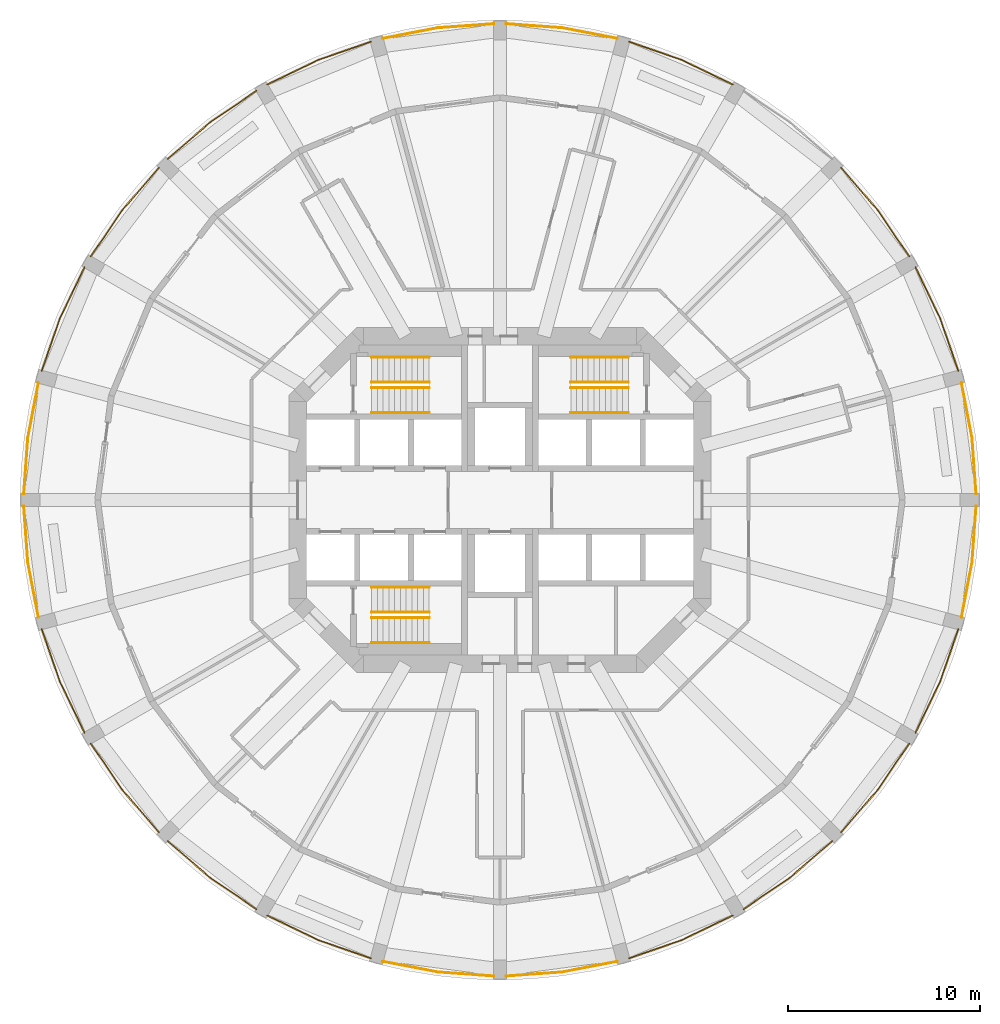
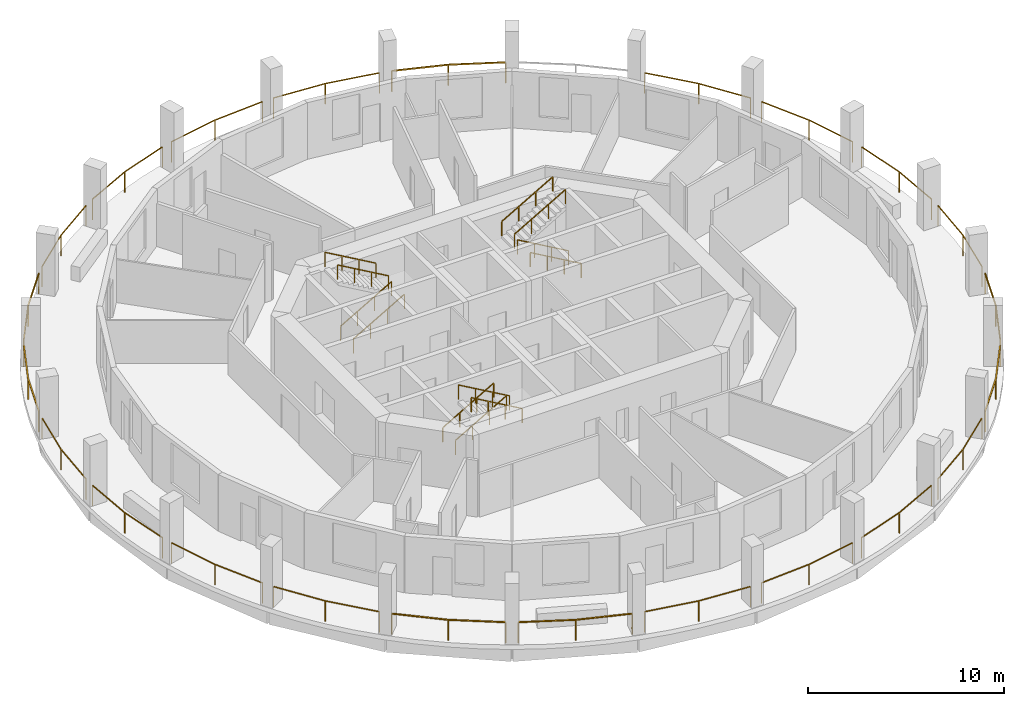
# One storey, part 7 of 8: 35 railings.
"""IFC4 building model written with IfcOpenShell, lengths in metres."""

from ifc_helpers import new_model, si_unit, direction, frame, origin, origin_2d, place, context, subcontext, project, spatial, rectangle, extrude, material, type_object, element, save


model = new_model("IFC4")

# Units and contexts
model_context = context("Model", 3, precision=1e-05, world=origin(), true_north=direction((0.0, 1.0)))
body_context = subcontext(model_context, "Body", "Model", "MODEL_VIEW")
ifc_project = project(units=[si_unit("LENGTHUNIT", "METRE"), si_unit("AREAUNIT", "SQUARE_METRE"), si_unit("VOLUMEUNIT", "CUBIC_METRE"), si_unit("PLANEANGLEUNIT", "RADIAN"), si_unit("MASSUNIT", "GRAM", prefix="KILO")], contexts=[model_context])

# Site, building, storey
site_placement = place(None, origin())
site = spatial("IfcSite", under=ifc_project, at=site_placement, CompositionType="ELEMENT")
building_placement = place(site_placement, origin())
building = spatial("IfcBuilding", under=site, at=building_placement, Name="Torre Triforio", CompositionType="ELEMENT")
storey_placement = place(building_placement, frame((0.0, 0.0, 135.199951171875)))
storey = spatial("IfcBuildingStorey", under=building, at=storey_placement, Name="L30", CompositionType="ELEMENT", Elevation=135.199951171875)

# Railings
ifc_material = material(Name="Stainless steel AISI 316", Category="steel")
railing_type_1 = type_object("IfcRailingType", Name="HANDRAIL 920", PredefinedType="HANDRAIL", material=ifc_material)
for number, where, name in (
    (1, (-6.699951171875, 4.550048828125, 0.1728515625), "Handrail ST1"),
    (2, (-6.699951171875, 5.85009765625, 0.1728515625), "Handrail ST1"),
):
    element("IfcRailing", number, at=place(storey_placement, frame(where)), inside=storey, type_object=railing_type_1, Name=name, PredefinedType="HANDRAIL", context=body_context, shape_type="SweptSolid", body=[
        extrude(rectangle(XDim=0.048095703125, YDim=0.048095703125, at=origin_2d()), frame((0.0, 0.0, 0.89599609375), z_axis=(0.866619684472, 0.0, 0.498969260062), x_axis=(0.0, 1.0, 0.0)), (0.0, 0.0, 1.0), 3.461669921875),
        extrude(rectangle(XDim=0.0419921875, YDim=0.0419921875, at=origin_2d()), origin(), (0.0, 0.0, 1.0), 0.871826171875),
        extrude(rectangle(XDim=0.0419921875, YDim=0.0419921875, at=origin_2d()), frame((1.0, 0.0, 0.57568359375)), (0.0, 0.0, 1.0), 0.871826171875),
        extrude(rectangle(XDim=0.0419921875, YDim=0.0419921875, at=origin_2d()), frame((2.0, 0.0, 1.151611328125)), (0.0, 0.0, 1.0), 0.871826171875),
        extrude(rectangle(XDim=0.0419921875, YDim=0.0419921875, at=origin_2d()), frame((3.0, 0.0, 1.727294921875)), (0.0, 0.0, 1.0), 0.871826171875),
    ])
for number, where, name in (
    (3, (-3.699951171875, 7.449951171875, 2.07275390625), "Handrail ST1"),
    (4, (-3.699951171875, 6.14990234375, 2.07275390625), "Handrail ST1"),
    (5, (6.699951171875, 4.550048828125, 0.1728515625), "Handrail ST2"),
    (6, (6.699951171875, 5.85009765625, 0.1728515625), "Handrail ST2"),
):
    element("IfcRailing", number, at=place(storey_placement, frame(where)), inside=storey, type_object=railing_type_1, Name=name, PredefinedType="HANDRAIL", context=body_context, shape_type="SweptSolid", body=[
        extrude(rectangle(XDim=0.048095703125, YDim=0.048095703125, at=origin_2d()), frame((0.0, 0.0, 0.89599609375), z_axis=(-0.866619684472, 0.0, 0.498969260062), x_axis=(0.0, -1.0, 0.0)), (0.0, 0.0, 1.0), 3.461669921875),
        extrude(rectangle(XDim=0.0419921875, YDim=0.0419921875, at=origin_2d()), origin(), (0.0, 0.0, 1.0), 0.871826171875),
        extrude(rectangle(XDim=0.0419921875, YDim=0.0419921875, at=origin_2d()), frame((-1.0, 0.0, 0.57568359375)), (0.0, 0.0, 1.0), 0.871826171875),
        extrude(rectangle(XDim=0.0419921875, YDim=0.0419921875, at=origin_2d()), frame((-2.0, 0.0, 1.151611328125)), (0.0, 0.0, 1.0), 0.871826171875),
        extrude(rectangle(XDim=0.0419921875, YDim=0.0419921875, at=origin_2d()), frame((-3.0, 0.0, 1.727294921875)), (0.0, 0.0, 1.0), 0.871826171875),
    ])
for number, where, name in (
    (7, (3.699951171875, 7.449951171875, 2.07275390625), "Handrail ST2"),
    (8, (3.699951171875, 6.14990234375, 2.07275390625), "Handrail ST2"),
    (9, (-6.699951171875, -4.550048828125, 0.1728515625), "Handrail ST3"),
    (10, (-6.699951171875, -5.85009765625, 0.1728515625), "Handrail ST3"),
):
    element("IfcRailing", number, at=place(storey_placement, frame(where)), inside=storey, type_object=railing_type_1, Name=name, PredefinedType="HANDRAIL", context=body_context, shape_type="SweptSolid", body=[
        extrude(rectangle(XDim=0.048095703125, YDim=0.048095703125, at=origin_2d()), frame((0.0, 0.0, 0.89599609375), z_axis=(0.866619684472, 0.0, 0.498969260062), x_axis=(0.0, 1.0, 0.0)), (0.0, 0.0, 1.0), 3.461669921875),
        extrude(rectangle(XDim=0.0419921875, YDim=0.0419921875, at=origin_2d()), origin(), (0.0, 0.0, 1.0), 0.871826171875),
        extrude(rectangle(XDim=0.0419921875, YDim=0.0419921875, at=origin_2d()), frame((1.0, 0.0, 0.57568359375)), (0.0, 0.0, 1.0), 0.871826171875),
        extrude(rectangle(XDim=0.0419921875, YDim=0.0419921875, at=origin_2d()), frame((2.0, 0.0, 1.151611328125)), (0.0, 0.0, 1.0), 0.871826171875),
        extrude(rectangle(XDim=0.0419921875, YDim=0.0419921875, at=origin_2d()), frame((3.0, 0.0, 1.727294921875)), (0.0, 0.0, 1.0), 0.871826171875),
    ])
for number, where, name in (
    (11, (-3.699951171875, -7.449951171875, 2.07275390625), "Handrail ST3"),
    (12, (-3.699951171875, -6.14990234375, 2.07275390625), "Handrail ST3"),
):
    element("IfcRailing", number, at=place(storey_placement, frame(where)), inside=storey, type_object=railing_type_1, Name=name, PredefinedType="HANDRAIL", context=body_context, shape_type="SweptSolid", body=[
        extrude(rectangle(XDim=0.048095703125, YDim=0.048095703125, at=origin_2d()), frame((0.0, 0.0, 0.89599609375), z_axis=(-0.866619684472, 0.0, 0.498969260062), x_axis=(0.0, -1.0, 0.0)), (0.0, 0.0, 1.0), 3.461669921875),
        extrude(rectangle(XDim=0.0419921875, YDim=0.0419921875, at=origin_2d()), origin(), (0.0, 0.0, 1.0), 0.871826171875),
        extrude(rectangle(XDim=0.0419921875, YDim=0.0419921875, at=origin_2d()), frame((-1.0, 0.0, 0.57568359375)), (0.0, 0.0, 1.0), 0.871826171875),
        extrude(rectangle(XDim=0.0419921875, YDim=0.0419921875, at=origin_2d()), frame((-2.0, 0.0, 1.151611328125)), (0.0, 0.0, 1.0), 0.871826171875),
        extrude(rectangle(XDim=0.0419921875, YDim=0.0419921875, at=origin_2d()), frame((-3.0, 0.0, 1.727294921875)), (0.0, 0.0, 1.0), 0.871826171875),
    ])
railing_type_2 = type_object("IfcRailingType", Name="Loggia guard 1300", PredefinedType="GUARDRAIL", material=ifc_material)
railing_1_placement = place(storey_placement, frame((24.85009765625, 0.320068359375, 0.0)))
element("IfcRailing", 13, at=railing_1_placement, inside=storey, type_object=railing_type_2, Name="Loggia guard L30 bay 01", PredefinedType="GUARDRAIL", context=body_context, shape_type="SweptSolid", body=[
    extrude(rectangle(XDim=0.050048828125, YDim=0.050048828125, at=origin_2d()), frame((0.0, 0.0, 1.27490234375), z_axis=(-0.072543227511, 0.997365269168, 0.0), x_axis=(-0.997365269168, -0.072543227511, 0.0)), (0.0, 0.0, 1.0), 2.931396484375),
    extrude(rectangle(XDim=0.050048828125, YDim=0.050048828125, at=origin_2d()), frame((-0.212646484375, 2.923583984375, 1.27490234375), z_axis=(-0.188068851895, 0.982155846568, 0.0), x_axis=(-0.982155846568, -0.188068851895, 0.0)), (0.0, 0.0, 1.0), 2.93115234375),
    extrude(rectangle(XDim=0.0400390625, YDim=0.0400390625, at=origin_2d()), origin(), (0.0, 0.0, 1.0), 1.25),
    extrude(rectangle(XDim=0.0400390625, YDim=0.0400390625, at=origin_2d()), frame((-0.212646484375, 2.923583984375, 0.0)), (0.0, 0.0, 1.0), 1.25),
    extrude(rectangle(XDim=0.0400390625, YDim=0.0400390625, at=origin_2d()), frame((-0.763916015625, 5.802490234375, 0.0)), (0.0, 0.0, 1.0), 1.25),
])
railing_2_placement = place(storey_placement, frame((23.92041015625, 6.74072265625, 0.0)))
element("IfcRailing", 14, at=railing_2_placement, inside=storey, type_object=railing_type_2, Name="Loggia guard L30 bay 02", PredefinedType="GUARDRAIL", context=body_context, shape_type="SweptSolid", body=[
    extrude(rectangle(XDim=0.050048828125, YDim=0.050048828125, at=origin_2d()), frame((0.0, 0.0, 1.27490234375), z_axis=(-0.328145883403, 0.944627058264, 0.0), x_axis=(-0.944627058264, -0.328145883403, 0.0)), (0.0, 0.0, 1.0), 2.931396484375),
    extrude(rectangle(XDim=0.050048828125, YDim=0.050048828125, at=origin_2d()), frame((-0.9619140625, 2.76904296875, 1.27490234375), z_axis=(-0.435917913275, 0.899986429279, 0.0), x_axis=(-0.899986429279, -0.435917913275, 0.0)), (0.0, 0.0, 1.0), 2.931396484375),
    extrude(rectangle(XDim=0.0400390625, YDim=0.0400390625, at=origin_2d()), origin(), (0.0, 0.0, 1.0), 1.25),
    extrude(rectangle(XDim=0.0400390625, YDim=0.0400390625, at=origin_2d()), frame((-0.9619140625, 2.76904296875, 0.0)), (0.0, 0.0, 1.0), 1.25),
    extrude(rectangle(XDim=0.0400390625, YDim=0.0400390625, at=origin_2d()), frame((-2.23974609375, 5.4072265625, 0.0)), (0.0, 0.0, 1.0), 1.25),
])
railing_3_placement = place(storey_placement, frame((21.360595703125, 12.7021484375, 0.0)))
element("IfcRailing", 15, at=railing_3_placement, inside=storey, type_object=railing_type_2, Name="Loggia guard L30 bay 03", PredefinedType="GUARDRAIL", context=body_context, shape_type="SweptSolid", body=[
    extrude(rectangle(XDim=0.050048828125, YDim=0.050048828125, at=origin_2d()), frame((0.0, 0.0, 1.27490234375), z_axis=(-0.561466791934, 0.827499269821, 0.0), x_axis=(-0.827499269821, -0.561466791934, 0.0)), (0.0, 0.0, 1.0), 2.93115234375),
    extrude(rectangle(XDim=0.050048828125, YDim=0.050048828125, at=origin_2d()), frame((-1.645751953125, 2.425537109375, 1.27490234375), z_axis=(-0.653981928353, 0.756510170049, 0.0), x_axis=(-0.756510170049, -0.653981928353, 0.0)), (0.0, 0.0, 1.0), 2.93115234375),
    extrude(rectangle(XDim=0.0400390625, YDim=0.0400390625, at=origin_2d()), origin(), (0.0, 0.0, 1.0), 1.25),
    extrude(rectangle(XDim=0.0400390625, YDim=0.0400390625, at=origin_2d()), frame((-1.645751953125, 2.425537109375, 0.0)), (0.0, 0.0, 1.0), 1.25),
    extrude(rectangle(XDim=0.0400390625, YDim=0.0400390625, at=origin_2d()), frame((-3.562744140625, 4.64306640625, 0.0)), (0.0, 0.0, 1.0), 1.25),
])
railing_4_placement = place(storey_placement, frame((12.14794921875, 21.6806640625, 0.0)))
element("IfcRailing", 16, at=railing_4_placement, inside=storey, type_object=railing_type_2, Name="Loggia guard L30 bay 05", PredefinedType="GUARDRAIL", context=body_context, shape_type="SweptSolid", body=[
    extrude(rectangle(XDim=0.050048828125, YDim=0.050048828125, at=origin_2d()), frame((0.0, 0.0, 1.27490234375), z_axis=(-0.899986429279, 0.435917913275, 0.0), x_axis=(-0.435917913275, -0.899986429279, 0.0)), (0.0, 0.0, 1.0), 2.931396484375),
    extrude(rectangle(XDim=0.050048828125, YDim=0.050048828125, at=origin_2d()), frame((-2.63818359375, 1.27783203125, 1.27490234375), z_axis=(-0.944627058264, 0.328145883403, 0.0), x_axis=(-0.328145883403, -0.944627058264, 0.0)), (0.0, 0.0, 1.0), 2.931396484375),
    extrude(rectangle(XDim=0.0400390625, YDim=0.0400390625, at=origin_2d()), origin(), (0.0, 0.0, 1.0), 1.25),
    extrude(rectangle(XDim=0.0400390625, YDim=0.0400390625, at=origin_2d()), frame((-2.63818359375, 1.27783203125, 0.0)), (0.0, 0.0, 1.0), 1.25),
    extrude(rectangle(XDim=0.0400390625, YDim=0.0400390625, at=origin_2d()), frame((-5.4072265625, 2.23974609375, 0.0)), (0.0, 0.0, 1.0), 1.25),
])
railing_5_placement = place(storey_placement, frame((6.12255859375, 24.086181640625, 0.0)))
element("IfcRailing", 17, at=railing_5_placement, inside=storey, type_object=railing_type_2, Name="Loggia guard L30 bay 06", PredefinedType="GUARDRAIL", context=body_context, shape_type="SweptSolid", body=[
    extrude(rectangle(XDim=0.050048828125, YDim=0.050048828125, at=origin_2d()), frame((0.0, 0.0, 1.27490234375), z_axis=(-0.982155846568, 0.188068851895, 0.0), x_axis=(-0.188068851895, -0.982155846568, 0.0)), (0.0, 0.0, 1.0), 2.93115234375),
    extrude(rectangle(XDim=0.050048828125, YDim=0.050048828125, at=origin_2d()), frame((-2.87890625, 0.55126953125, 1.27490234375), z_axis=(-0.997365269168, 0.072543227511, 0.0), x_axis=(-0.072543227511, -0.997365269168, 0.0)), (0.0, 0.0, 1.0), 2.931396484375),
    extrude(rectangle(XDim=0.0400390625, YDim=0.0400390625, at=origin_2d()), origin(), (0.0, 0.0, 1.0), 1.25),
    extrude(rectangle(XDim=0.0400390625, YDim=0.0400390625, at=origin_2d()), frame((-2.87890625, 0.55126953125, 0.0)), (0.0, 0.0, 1.0), 1.25),
    extrude(rectangle(XDim=0.0400390625, YDim=0.0400390625, at=origin_2d()), frame((-5.802490234375, 0.763916015625, 0.0)), (0.0, 0.0, 1.0), 1.25),
])
railing_6_placement = place(storey_placement, frame((-0.320068359375, 24.85009765625, 0.0)))
element("IfcRailing", 18, at=railing_6_placement, inside=storey, type_object=railing_type_2, Name="Loggia guard L30 bay 07", PredefinedType="GUARDRAIL", context=body_context, shape_type="SweptSolid", body=[
    extrude(rectangle(XDim=0.050048828125, YDim=0.050048828125, at=origin_2d()), frame((0.0, 0.0, 1.27490234375), z_axis=(-0.997365269168, -0.072543227511, 0.0), x_axis=(0.072543227511, -0.997365269168, 0.0)), (0.0, 0.0, 1.0), 2.931396484375),
    extrude(rectangle(XDim=0.050048828125, YDim=0.050048828125, at=origin_2d()), frame((-2.923583984375, -0.212646484375, 1.27490234375), z_axis=(-0.982155846568, -0.188068851895, 0.0), x_axis=(0.188068851895, -0.982155846568, 0.0)), (0.0, 0.0, 1.0), 2.93115234375),
    extrude(rectangle(XDim=0.0400390625, YDim=0.0400390625, at=origin_2d()), origin(), (0.0, 0.0, 1.0), 1.25),
    extrude(rectangle(XDim=0.0400390625, YDim=0.0400390625, at=origin_2d()), frame((-2.923583984375, -0.212646484375, 0.0)), (0.0, 0.0, 1.0), 1.25),
    extrude(rectangle(XDim=0.0400390625, YDim=0.0400390625, at=origin_2d()), frame((-5.802490234375, -0.763916015625, 0.0)), (0.0, 0.0, 1.0), 1.25),
])
railing_7_placement = place(storey_placement, frame((-6.74072265625, 23.92041015625, 0.0)))
element("IfcRailing", 19, at=railing_7_placement, inside=storey, type_object=railing_type_2, Name="Loggia guard L30 bay 08", PredefinedType="GUARDRAIL", context=body_context, shape_type="SweptSolid", body=[
    extrude(rectangle(XDim=0.050048828125, YDim=0.050048828125, at=origin_2d()), frame((0.0, 0.0, 1.27490234375), z_axis=(-0.944627058264, -0.328145883403, 0.0), x_axis=(0.328145883403, -0.944627058264, 0.0)), (0.0, 0.0, 1.0), 2.931396484375),
    extrude(rectangle(XDim=0.050048828125, YDim=0.050048828125, at=origin_2d()), frame((-2.76904296875, -0.9619140625, 1.27490234375), z_axis=(-0.899986429279, -0.435917913275, 0.0), x_axis=(0.435917913275, -0.899986429279, 0.0)), (0.0, 0.0, 1.0), 2.931396484375),
    extrude(rectangle(XDim=0.0400390625, YDim=0.0400390625, at=origin_2d()), origin(), (0.0, 0.0, 1.0), 1.25),
    extrude(rectangle(XDim=0.0400390625, YDim=0.0400390625, at=origin_2d()), frame((-2.76904296875, -0.9619140625, 0.0)), (0.0, 0.0, 1.0), 1.25),
    extrude(rectangle(XDim=0.0400390625, YDim=0.0400390625, at=origin_2d()), frame((-5.4072265625, -2.23974609375, 0.0)), (0.0, 0.0, 1.0), 1.25),
])
railing_8_placement = place(storey_placement, frame((-12.7021484375, 21.360595703125, 0.0)))
element("IfcRailing", 20, at=railing_8_placement, inside=storey, type_object=railing_type_2, Name="Loggia guard L30 bay 09", PredefinedType="GUARDRAIL", context=body_context, shape_type="SweptSolid", body=[
    extrude(rectangle(XDim=0.050048828125, YDim=0.050048828125, at=origin_2d()), frame((0.0, 0.0, 1.27490234375), z_axis=(-0.827499269821, -0.561466791934, 0.0), x_axis=(0.561466791934, -0.827499269821, 0.0)), (0.0, 0.0, 1.0), 2.93115234375),
    extrude(rectangle(XDim=0.050048828125, YDim=0.050048828125, at=origin_2d()), frame((-2.425537109375, -1.645751953125, 1.27490234375), z_axis=(-0.756510170049, -0.653981928353, 0.0), x_axis=(0.653981928353, -0.756510170049, 0.0)), (0.0, 0.0, 1.0), 2.93115234375),
    extrude(rectangle(XDim=0.0400390625, YDim=0.0400390625, at=origin_2d()), origin(), (0.0, 0.0, 1.0), 1.25),
    extrude(rectangle(XDim=0.0400390625, YDim=0.0400390625, at=origin_2d()), frame((-2.425537109375, -1.645751953125, 0.0)), (0.0, 0.0, 1.0), 1.25),
    extrude(rectangle(XDim=0.0400390625, YDim=0.0400390625, at=origin_2d()), frame((-4.64306640625, -3.562744140625, 0.0)), (0.0, 0.0, 1.0), 1.25),
])
railing_9_placement = place(storey_placement, frame((-17.7978515625, 17.34521484375, 0.0)))
element("IfcRailing", 21, at=railing_9_placement, inside=storey, type_object=railing_type_2, Name="Loggia guard L30 bay 10", PredefinedType="GUARDRAIL", context=body_context, shape_type="SweptSolid", body=[
    extrude(rectangle(XDim=0.050048828125, YDim=0.050048828125, at=origin_2d()), frame((0.0, 0.0, 1.27490234375), z_axis=(-0.653981928353, -0.756510170049, 0.0), x_axis=(0.756510170049, -0.653981928353, 0.0)), (0.0, 0.0, 1.0), 2.93115234375),
    extrude(rectangle(XDim=0.050048828125, YDim=0.050048828125, at=origin_2d()), frame((-1.9169921875, -2.217529296875, 1.27490234375), z_axis=(-0.561466791934, -0.827499269821, 0.0), x_axis=(0.827499269821, -0.561466791934, 0.0)), (0.0, 0.0, 1.0), 2.93115234375),
    extrude(rectangle(XDim=0.0400390625, YDim=0.0400390625, at=origin_2d()), origin(), (0.0, 0.0, 1.0), 1.25),
    extrude(rectangle(XDim=0.0400390625, YDim=0.0400390625, at=origin_2d()), frame((-1.9169921875, -2.217529296875, 0.0)), (0.0, 0.0, 1.0), 1.25),
    extrude(rectangle(XDim=0.0400390625, YDim=0.0400390625, at=origin_2d()), frame((-3.562744140625, -4.64306640625, 0.0)), (0.0, 0.0, 1.0), 1.25),
])
railing_10_placement = place(storey_placement, frame((-21.6806640625, 12.14794921875, 0.0)))
element("IfcRailing", 22, at=railing_10_placement, inside=storey, type_object=railing_type_2, Name="Loggia guard L30 bay 11", PredefinedType="GUARDRAIL", context=body_context, shape_type="SweptSolid", body=[
    extrude(rectangle(XDim=0.050048828125, YDim=0.050048828125, at=origin_2d()), frame((0.0, 0.0, 1.27490234375), z_axis=(-0.435917913275, -0.899986429279, 0.0), x_axis=(0.899986429279, -0.435917913275, 0.0)), (0.0, 0.0, 1.0), 2.931396484375),
    extrude(rectangle(XDim=0.050048828125, YDim=0.050048828125, at=origin_2d()), frame((-1.27783203125, -2.63818359375, 1.27490234375), z_axis=(-0.328145883403, -0.944627058264, 0.0), x_axis=(0.944627058264, -0.328145883403, 0.0)), (0.0, 0.0, 1.0), 2.931396484375),
    extrude(rectangle(XDim=0.0400390625, YDim=0.0400390625, at=origin_2d()), origin(), (0.0, 0.0, 1.0), 1.25),
    extrude(rectangle(XDim=0.0400390625, YDim=0.0400390625, at=origin_2d()), frame((-1.27783203125, -2.63818359375, 0.0)), (0.0, 0.0, 1.0), 1.25),
    extrude(rectangle(XDim=0.0400390625, YDim=0.0400390625, at=origin_2d()), frame((-2.23974609375, -5.4072265625, 0.0)), (0.0, 0.0, 1.0), 1.25),
])
railing_11_placement = place(storey_placement, frame((-24.086181640625, 6.12255859375, 0.0)))
element("IfcRailing", 23, at=railing_11_placement, inside=storey, type_object=railing_type_2, Name="Loggia guard L30 bay 12", PredefinedType="GUARDRAIL", context=body_context, shape_type="SweptSolid", body=[
    extrude(rectangle(XDim=0.050048828125, YDim=0.050048828125, at=origin_2d()), frame((0.0, 0.0, 1.27490234375), z_axis=(-0.188068851895, -0.982155846568, 0.0), x_axis=(0.982155846568, -0.188068851895, 0.0)), (0.0, 0.0, 1.0), 2.93115234375),
    extrude(rectangle(XDim=0.050048828125, YDim=0.050048828125, at=origin_2d()), frame((-0.55126953125, -2.87890625, 1.27490234375), z_axis=(-0.072543227511, -0.997365269168, 0.0), x_axis=(0.997365269168, -0.072543227511, 0.0)), (0.0, 0.0, 1.0), 2.931396484375),
    extrude(rectangle(XDim=0.0400390625, YDim=0.0400390625, at=origin_2d()), origin(), (0.0, 0.0, 1.0), 1.25),
    extrude(rectangle(XDim=0.0400390625, YDim=0.0400390625, at=origin_2d()), frame((-0.55126953125, -2.87890625, 0.0)), (0.0, 0.0, 1.0), 1.25),
    extrude(rectangle(XDim=0.0400390625, YDim=0.0400390625, at=origin_2d()), frame((-0.763916015625, -5.802490234375, 0.0)), (0.0, 0.0, 1.0), 1.25),
])
railing_12_placement = place(storey_placement, frame((-24.85009765625, -0.320068359375, 0.0)))
element("IfcRailing", 24, at=railing_12_placement, inside=storey, type_object=railing_type_2, Name="Loggia guard L30 bay 13", PredefinedType="GUARDRAIL", context=body_context, shape_type="SweptSolid", body=[
    extrude(rectangle(XDim=0.050048828125, YDim=0.050048828125, at=origin_2d()), frame((0.0, 0.0, 1.27490234375), z_axis=(0.072543227511, -0.997365269168, 0.0), x_axis=(0.997365269168, 0.072543227511, 0.0)), (0.0, 0.0, 1.0), 2.931396484375),
    extrude(rectangle(XDim=0.050048828125, YDim=0.050048828125, at=origin_2d()), frame((0.212646484375, -2.923583984375, 1.27490234375), z_axis=(0.188068851895, -0.982155846568, 0.0), x_axis=(0.982155846568, 0.188068851895, 0.0)), (0.0, 0.0, 1.0), 2.93115234375),
    extrude(rectangle(XDim=0.0400390625, YDim=0.0400390625, at=origin_2d()), origin(), (0.0, 0.0, 1.0), 1.25),
    extrude(rectangle(XDim=0.0400390625, YDim=0.0400390625, at=origin_2d()), frame((0.212646484375, -2.923583984375, 0.0)), (0.0, 0.0, 1.0), 1.25),
    extrude(rectangle(XDim=0.0400390625, YDim=0.0400390625, at=origin_2d()), frame((0.763916015625, -5.802490234375, 0.0)), (0.0, 0.0, 1.0), 1.25),
])
railing_13_placement = place(storey_placement, frame((-23.92041015625, -6.74072265625, 0.0)))
element("IfcRailing", 25, at=railing_13_placement, inside=storey, type_object=railing_type_2, Name="Loggia guard L30 bay 14", PredefinedType="GUARDRAIL", context=body_context, shape_type="SweptSolid", body=[
    extrude(rectangle(XDim=0.050048828125, YDim=0.050048828125, at=origin_2d()), frame((0.0, 0.0, 1.27490234375), z_axis=(0.328145883403, -0.944627058264, 0.0), x_axis=(0.944627058264, 0.328145883403, 0.0)), (0.0, 0.0, 1.0), 2.931396484375),
    extrude(rectangle(XDim=0.050048828125, YDim=0.050048828125, at=origin_2d()), frame((0.9619140625, -2.76904296875, 1.27490234375), z_axis=(0.435917913275, -0.899986429279, 0.0), x_axis=(0.899986429279, 0.435917913275, 0.0)), (0.0, 0.0, 1.0), 2.931396484375),
    extrude(rectangle(XDim=0.0400390625, YDim=0.0400390625, at=origin_2d()), origin(), (0.0, 0.0, 1.0), 1.25),
    extrude(rectangle(XDim=0.0400390625, YDim=0.0400390625, at=origin_2d()), frame((0.9619140625, -2.76904296875, 0.0)), (0.0, 0.0, 1.0), 1.25),
    extrude(rectangle(XDim=0.0400390625, YDim=0.0400390625, at=origin_2d()), frame((2.23974609375, -5.4072265625, 0.0)), (0.0, 0.0, 1.0), 1.25),
])
railing_14_placement = place(storey_placement, frame((-21.360595703125, -12.7021484375, 0.0)))
element("IfcRailing", 26, at=railing_14_placement, inside=storey, type_object=railing_type_2, Name="Loggia guard L30 bay 15", PredefinedType="GUARDRAIL", context=body_context, shape_type="SweptSolid", body=[
    extrude(rectangle(XDim=0.050048828125, YDim=0.050048828125, at=origin_2d()), frame((0.0, 0.0, 1.27490234375), z_axis=(0.561466791934, -0.827499269821, 0.0), x_axis=(0.827499269821, 0.561466791934, 0.0)), (0.0, 0.0, 1.0), 2.93115234375),
    extrude(rectangle(XDim=0.050048828125, YDim=0.050048828125, at=origin_2d()), frame((1.645751953125, -2.425537109375, 1.27490234375), z_axis=(0.653981928353, -0.756510170049, 0.0), x_axis=(0.756510170049, 0.653981928353, 0.0)), (0.0, 0.0, 1.0), 2.93115234375),
    extrude(rectangle(XDim=0.0400390625, YDim=0.0400390625, at=origin_2d()), origin(), (0.0, 0.0, 1.0), 1.25),
    extrude(rectangle(XDim=0.0400390625, YDim=0.0400390625, at=origin_2d()), frame((1.645751953125, -2.425537109375, 0.0)), (0.0, 0.0, 1.0), 1.25),
    extrude(rectangle(XDim=0.0400390625, YDim=0.0400390625, at=origin_2d()), frame((3.562744140625, -4.64306640625, 0.0)), (0.0, 0.0, 1.0), 1.25),
])
railing_15_placement = place(storey_placement, frame((-17.34521484375, -17.7978515625, 0.0)))
element("IfcRailing", 27, at=railing_15_placement, inside=storey, type_object=railing_type_2, Name="Loggia guard L30 bay 16", PredefinedType="GUARDRAIL", context=body_context, shape_type="SweptSolid", body=[
    extrude(rectangle(XDim=0.050048828125, YDim=0.050048828125, at=origin_2d()), frame((0.0, 0.0, 1.27490234375), z_axis=(0.756510170049, -0.653981928353, 0.0), x_axis=(0.653981928353, 0.756510170049, 0.0)), (0.0, 0.0, 1.0), 2.93115234375),
    extrude(rectangle(XDim=0.050048828125, YDim=0.050048828125, at=origin_2d()), frame((2.217529296875, -1.9169921875, 1.27490234375), z_axis=(0.827499269821, -0.561466791934, 0.0), x_axis=(0.561466791934, 0.827499269821, 0.0)), (0.0, 0.0, 1.0), 2.93115234375),
    extrude(rectangle(XDim=0.0400390625, YDim=0.0400390625, at=origin_2d()), origin(), (0.0, 0.0, 1.0), 1.25),
    extrude(rectangle(XDim=0.0400390625, YDim=0.0400390625, at=origin_2d()), frame((2.217529296875, -1.9169921875, 0.0)), (0.0, 0.0, 1.0), 1.25),
    extrude(rectangle(XDim=0.0400390625, YDim=0.0400390625, at=origin_2d()), frame((4.64306640625, -3.562744140625, 0.0)), (0.0, 0.0, 1.0), 1.25),
])
railing_16_placement = place(storey_placement, frame((-12.14794921875, -21.6806640625, 0.0)))
element("IfcRailing", 28, at=railing_16_placement, inside=storey, type_object=railing_type_2, Name="Loggia guard L30 bay 17", PredefinedType="GUARDRAIL", context=body_context, shape_type="SweptSolid", body=[
    extrude(rectangle(XDim=0.050048828125, YDim=0.050048828125, at=origin_2d()), frame((0.0, 0.0, 1.27490234375), z_axis=(0.899986429279, -0.435917913275, 0.0), x_axis=(0.435917913275, 0.899986429279, 0.0)), (0.0, 0.0, 1.0), 2.931396484375),
    extrude(rectangle(XDim=0.050048828125, YDim=0.050048828125, at=origin_2d()), frame((2.63818359375, -1.27783203125, 1.27490234375), z_axis=(0.944627058264, -0.328145883403, 0.0), x_axis=(0.328145883403, 0.944627058264, 0.0)), (0.0, 0.0, 1.0), 2.931396484375),
    extrude(rectangle(XDim=0.0400390625, YDim=0.0400390625, at=origin_2d()), origin(), (0.0, 0.0, 1.0), 1.25),
    extrude(rectangle(XDim=0.0400390625, YDim=0.0400390625, at=origin_2d()), frame((2.63818359375, -1.27783203125, 0.0)), (0.0, 0.0, 1.0), 1.25),
    extrude(rectangle(XDim=0.0400390625, YDim=0.0400390625, at=origin_2d()), frame((5.4072265625, -2.23974609375, 0.0)), (0.0, 0.0, 1.0), 1.25),
])
railing_17_placement = place(storey_placement, frame((-6.12255859375, -24.086181640625, 0.0)))
element("IfcRailing", 29, at=railing_17_placement, inside=storey, type_object=railing_type_2, Name="Loggia guard L30 bay 18", PredefinedType="GUARDRAIL", context=body_context, shape_type="SweptSolid", body=[
    extrude(rectangle(XDim=0.050048828125, YDim=0.050048828125, at=origin_2d()), frame((0.0, 0.0, 1.27490234375), z_axis=(0.982155846568, -0.188068851895, 0.0), x_axis=(0.188068851895, 0.982155846568, 0.0)), (0.0, 0.0, 1.0), 2.93115234375),
    extrude(rectangle(XDim=0.050048828125, YDim=0.050048828125, at=origin_2d()), frame((2.87890625, -0.55126953125, 1.27490234375), z_axis=(0.997365269168, -0.072543227511, 0.0), x_axis=(0.072543227511, 0.997365269168, 0.0)), (0.0, 0.0, 1.0), 2.931396484375),
    extrude(rectangle(XDim=0.0400390625, YDim=0.0400390625, at=origin_2d()), origin(), (0.0, 0.0, 1.0), 1.25),
    extrude(rectangle(XDim=0.0400390625, YDim=0.0400390625, at=origin_2d()), frame((2.87890625, -0.55126953125, 0.0)), (0.0, 0.0, 1.0), 1.25),
    extrude(rectangle(XDim=0.0400390625, YDim=0.0400390625, at=origin_2d()), frame((5.802490234375, -0.763916015625, 0.0)), (0.0, 0.0, 1.0), 1.25),
])
railing_18_placement = place(storey_placement, frame((0.320068359375, -24.85009765625, 0.0)))
element("IfcRailing", 30, at=railing_18_placement, inside=storey, type_object=railing_type_2, Name="Loggia guard L30 bay 19", PredefinedType="GUARDRAIL", context=body_context, shape_type="SweptSolid", body=[
    extrude(rectangle(XDim=0.050048828125, YDim=0.050048828125, at=origin_2d()), frame((0.0, 0.0, 1.27490234375), z_axis=(0.997365269168, 0.072543227511, 0.0), x_axis=(-0.072543227511, 0.997365269168, 0.0)), (0.0, 0.0, 1.0), 2.931396484375),
    extrude(rectangle(XDim=0.050048828125, YDim=0.050048828125, at=origin_2d()), frame((2.923583984375, 0.212646484375, 1.27490234375), z_axis=(0.982155846568, 0.188068851895, 0.0), x_axis=(-0.188068851895, 0.982155846568, 0.0)), (0.0, 0.0, 1.0), 2.93115234375),
    extrude(rectangle(XDim=0.0400390625, YDim=0.0400390625, at=origin_2d()), origin(), (0.0, 0.0, 1.0), 1.25),
    extrude(rectangle(XDim=0.0400390625, YDim=0.0400390625, at=origin_2d()), frame((2.923583984375, 0.212646484375, 0.0)), (0.0, 0.0, 1.0), 1.25),
    extrude(rectangle(XDim=0.0400390625, YDim=0.0400390625, at=origin_2d()), frame((5.802490234375, 0.763916015625, 0.0)), (0.0, 0.0, 1.0), 1.25),
])
railing_19_placement = place(storey_placement, frame((6.74072265625, -23.92041015625, 0.0)))
element("IfcRailing", 31, at=railing_19_placement, inside=storey, type_object=railing_type_2, Name="Loggia guard L30 bay 20", PredefinedType="GUARDRAIL", context=body_context, shape_type="SweptSolid", body=[
    extrude(rectangle(XDim=0.050048828125, YDim=0.050048828125, at=origin_2d()), frame((0.0, 0.0, 1.27490234375), z_axis=(0.944627058264, 0.328145883403, 0.0), x_axis=(-0.328145883403, 0.944627058264, 0.0)), (0.0, 0.0, 1.0), 2.931396484375),
    extrude(rectangle(XDim=0.050048828125, YDim=0.050048828125, at=origin_2d()), frame((2.76904296875, 0.9619140625, 1.27490234375), z_axis=(0.899986429279, 0.435917913275, 0.0), x_axis=(-0.435917913275, 0.899986429279, 0.0)), (0.0, 0.0, 1.0), 2.931396484375),
    extrude(rectangle(XDim=0.0400390625, YDim=0.0400390625, at=origin_2d()), origin(), (0.0, 0.0, 1.0), 1.25),
    extrude(rectangle(XDim=0.0400390625, YDim=0.0400390625, at=origin_2d()), frame((2.76904296875, 0.9619140625, 0.0)), (0.0, 0.0, 1.0), 1.25),
    extrude(rectangle(XDim=0.0400390625, YDim=0.0400390625, at=origin_2d()), frame((5.4072265625, 2.23974609375, 0.0)), (0.0, 0.0, 1.0), 1.25),
])
railing_20_placement = place(storey_placement, frame((12.7021484375, -21.360595703125, 0.0)))
element("IfcRailing", 32, at=railing_20_placement, inside=storey, type_object=railing_type_2, Name="Loggia guard L30 bay 21", PredefinedType="GUARDRAIL", context=body_context, shape_type="SweptSolid", body=[
    extrude(rectangle(XDim=0.050048828125, YDim=0.050048828125, at=origin_2d()), frame((0.0, 0.0, 1.27490234375), z_axis=(0.827499269821, 0.561466791934, 0.0), x_axis=(-0.561466791934, 0.827499269821, 0.0)), (0.0, 0.0, 1.0), 2.93115234375),
    extrude(rectangle(XDim=0.050048828125, YDim=0.050048828125, at=origin_2d()), frame((2.425537109375, 1.645751953125, 1.27490234375), z_axis=(0.756510170049, 0.653981928353, 0.0), x_axis=(-0.653981928353, 0.756510170049, 0.0)), (0.0, 0.0, 1.0), 2.93115234375),
    extrude(rectangle(XDim=0.0400390625, YDim=0.0400390625, at=origin_2d()), origin(), (0.0, 0.0, 1.0), 1.25),
    extrude(rectangle(XDim=0.0400390625, YDim=0.0400390625, at=origin_2d()), frame((2.425537109375, 1.645751953125, 0.0)), (0.0, 0.0, 1.0), 1.25),
    extrude(rectangle(XDim=0.0400390625, YDim=0.0400390625, at=origin_2d()), frame((4.64306640625, 3.562744140625, 0.0)), (0.0, 0.0, 1.0), 1.25),
])
railing_21_placement = place(storey_placement, frame((17.7978515625, -17.34521484375, 0.0)))
element("IfcRailing", 33, at=railing_21_placement, inside=storey, type_object=railing_type_2, Name="Loggia guard L30 bay 22", PredefinedType="GUARDRAIL", context=body_context, shape_type="SweptSolid", body=[
    extrude(rectangle(XDim=0.050048828125, YDim=0.050048828125, at=origin_2d()), frame((0.0, 0.0, 1.27490234375), z_axis=(0.653981928353, 0.756510170049, 0.0), x_axis=(-0.756510170049, 0.653981928353, 0.0)), (0.0, 0.0, 1.0), 2.93115234375),
    extrude(rectangle(XDim=0.050048828125, YDim=0.050048828125, at=origin_2d()), frame((1.9169921875, 2.217529296875, 1.27490234375), z_axis=(0.561466791934, 0.827499269821, 0.0), x_axis=(-0.827499269821, 0.561466791934, 0.0)), (0.0, 0.0, 1.0), 2.93115234375),
    extrude(rectangle(XDim=0.0400390625, YDim=0.0400390625, at=origin_2d()), origin(), (0.0, 0.0, 1.0), 1.25),
    extrude(rectangle(XDim=0.0400390625, YDim=0.0400390625, at=origin_2d()), frame((1.9169921875, 2.217529296875, 0.0)), (0.0, 0.0, 1.0), 1.25),
    extrude(rectangle(XDim=0.0400390625, YDim=0.0400390625, at=origin_2d()), frame((3.562744140625, 4.64306640625, 0.0)), (0.0, 0.0, 1.0), 1.25),
])
railing_22_placement = place(storey_placement, frame((21.6806640625, -12.14794921875, 0.0)))
element("IfcRailing", 34, at=railing_22_placement, inside=storey, type_object=railing_type_2, Name="Loggia guard L30 bay 23", PredefinedType="GUARDRAIL", context=body_context, shape_type="SweptSolid", body=[
    extrude(rectangle(XDim=0.050048828125, YDim=0.050048828125, at=origin_2d()), frame((0.0, 0.0, 1.27490234375), z_axis=(0.435917913275, 0.899986429279, 0.0), x_axis=(-0.899986429279, 0.435917913275, 0.0)), (0.0, 0.0, 1.0), 2.931396484375),
    extrude(rectangle(XDim=0.050048828125, YDim=0.050048828125, at=origin_2d()), frame((1.27783203125, 2.63818359375, 1.27490234375), z_axis=(0.328145883403, 0.944627058264, 0.0), x_axis=(-0.944627058264, 0.328145883403, 0.0)), (0.0, 0.0, 1.0), 2.931396484375),
    extrude(rectangle(XDim=0.0400390625, YDim=0.0400390625, at=origin_2d()), origin(), (0.0, 0.0, 1.0), 1.25),
    extrude(rectangle(XDim=0.0400390625, YDim=0.0400390625, at=origin_2d()), frame((1.27783203125, 2.63818359375, 0.0)), (0.0, 0.0, 1.0), 1.25),
    extrude(rectangle(XDim=0.0400390625, YDim=0.0400390625, at=origin_2d()), frame((2.23974609375, 5.4072265625, 0.0)), (0.0, 0.0, 1.0), 1.25),
])
railing_23_placement = place(storey_placement, frame((24.086181640625, -6.12255859375, 0.0)))
element("IfcRailing", 35, at=railing_23_placement, inside=storey, type_object=railing_type_2, Name="Loggia guard L30 bay 24", PredefinedType="GUARDRAIL", context=body_context, shape_type="SweptSolid", body=[
    extrude(rectangle(XDim=0.050048828125, YDim=0.050048828125, at=origin_2d()), frame((0.0, 0.0, 1.27490234375), z_axis=(0.188068851895, 0.982155846568, 0.0), x_axis=(-0.982155846568, 0.188068851895, 0.0)), (0.0, 0.0, 1.0), 2.93115234375),
    extrude(rectangle(XDim=0.050048828125, YDim=0.050048828125, at=origin_2d()), frame((0.55126953125, 2.87890625, 1.27490234375), z_axis=(0.072543227511, 0.997365269168, 0.0), x_axis=(-0.997365269168, 0.072543227511, 0.0)), (0.0, 0.0, 1.0), 2.931396484375),
    extrude(rectangle(XDim=0.0400390625, YDim=0.0400390625, at=origin_2d()), origin(), (0.0, 0.0, 1.0), 1.25),
    extrude(rectangle(XDim=0.0400390625, YDim=0.0400390625, at=origin_2d()), frame((0.55126953125, 2.87890625, 0.0)), (0.0, 0.0, 1.0), 1.25),
    extrude(rectangle(XDim=0.0400390625, YDim=0.0400390625, at=origin_2d()), frame((0.763916015625, 5.802490234375, 0.0)), (0.0, 0.0, 1.0), 1.25),
])

save(model, "model.ifc")
